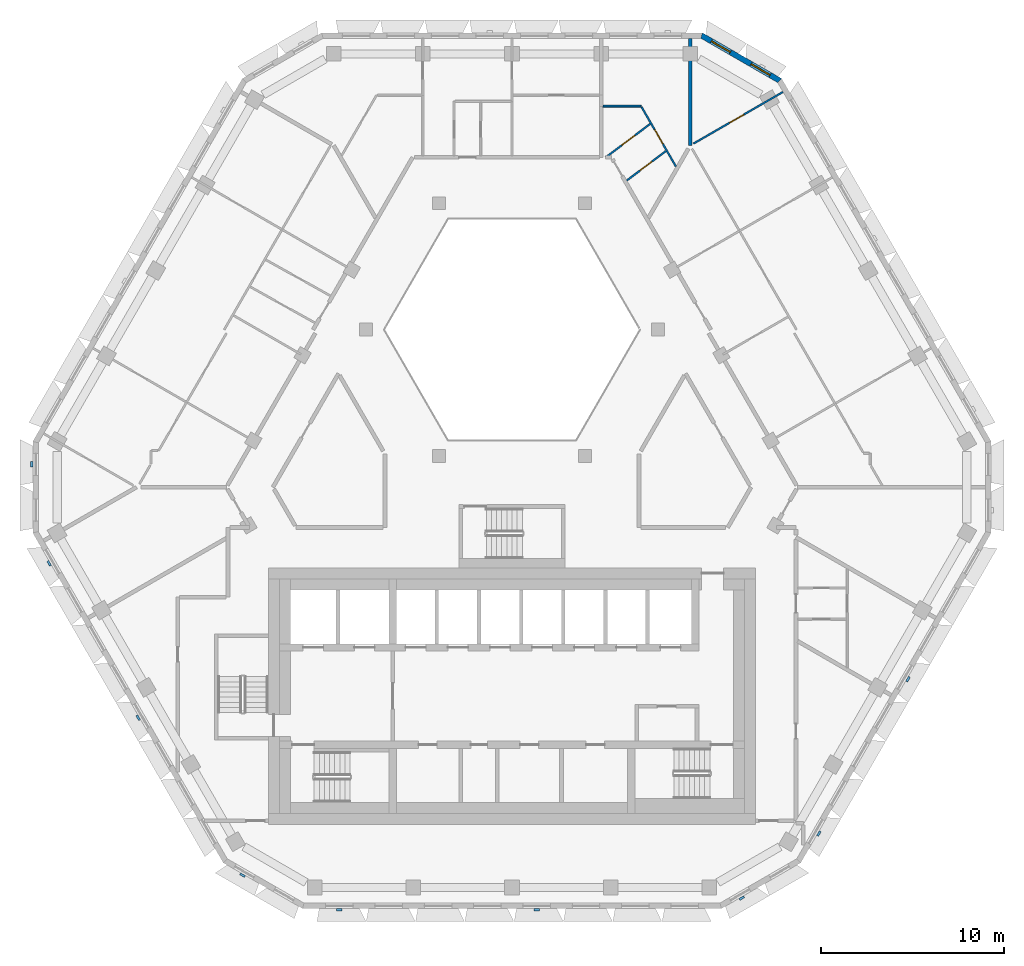
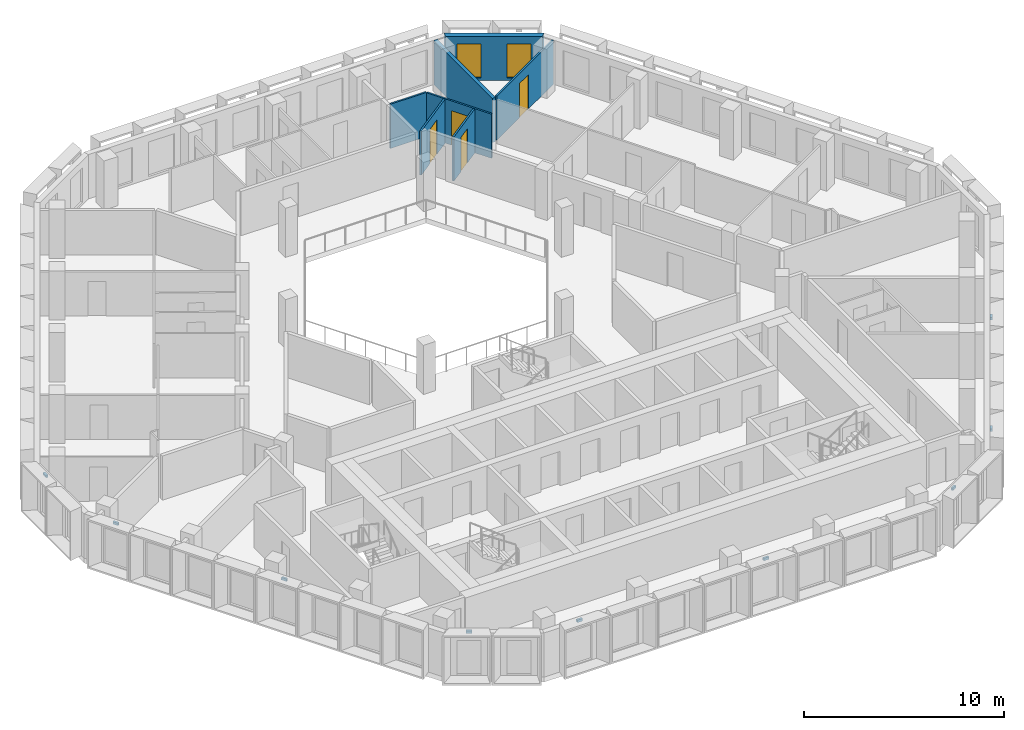
# One storey, part 9 of 17: 9 discrete accessories, 7 walls, 4 doors, 2 windows, 6 openings.
"""IFC4 building model written with IfcOpenShell, lengths in metres."""

from ifc_helpers import new_model, si_unit, direction, frame, frame_2d, origin, place, context, subcontext, project, spatial, polyline, rectangle, outline, extrude, source, transform, mapped, material, layer, layer_set, type_object, type_shapes, element, fill, save


model = new_model("IFC4")

# Units and contexts
model_context = context("Model", 3, precision=1e-05, world=origin(), true_north=direction((0.0, 1.0)))
body_context = subcontext(model_context, "Body", "Model", "MODEL_VIEW")
ifc_project = project(units=[si_unit("LENGTHUNIT", "METRE"), si_unit("AREAUNIT", "SQUARE_METRE"), si_unit("VOLUMEUNIT", "CUBIC_METRE"), si_unit("PLANEANGLEUNIT", "RADIAN"), si_unit("MASSUNIT", "GRAM", prefix="KILO")], contexts=[model_context])

# Site, building, storey
site_placement = place(None, origin())
site = spatial("IfcSite", under=ifc_project, at=site_placement, CompositionType="ELEMENT")
building_placement = place(site_placement, origin())
building = spatial("IfcBuilding", under=site, at=building_placement, Name="Beryl Residences", CompositionType="ELEMENT")
storey_placement = place(building_placement, frame((0.0, 0.0, 166.199951171875)))
storey = spatial("IfcBuildingStorey", under=building, at=storey_placement, Name="L50", CompositionType="ELEMENT", Elevation=166.199951171875)

# Wall, openings, windows
ifc_material_1 = material(Name="Composite metal panel with mineral wool insulation")
ifc_layer_1 = layer(ifc_material_1, 0.300048828125)
ifc_layer_set_1 = layer_set([ifc_layer_1], Name="ES1 pale metal composite panel wall 300 mm")
wall_type_1 = type_object("IfcWallType", Name="ES1 pale metal composite panel wall 300 mm", PredefinedType="SOLIDWALL", material=ifc_layer_set_1)
wall_1_placement = place(storey_placement, frame((14.64697265625, 21.570068359375, 0.0), z_axis=(0.0, 0.0, 1.0), x_axis=(-0.866022959057, 0.500004234368, 0.0)))
wall_1 = element("IfcWall", 1, at=wall_1_placement, inside=storey, type_object=wall_type_1, Name="ES1 external wall L50 NE-N", PredefinedType="SOLIDWALL", context=body_context, shape_type="SweptSolid", body=[
    extrude(outline(polyline([(0.0, -0.14990234375), (5.0, -0.14990234375), (4.919677734375, 0.14990234375), (0.080322265625, 0.14990234375), (0.0, -0.14990234375)])), origin(), (0.0, 0.0, 1.0), 2.699951171875),
])
opening_1_placement = place(wall_1_placement, frame((0.64990234375, 0.0, 0.14990234375)))
opening_1 = element("IfcOpeningElement", 2, at=opening_1_placement, cuts=wall_1, Name="Opening W2", PredefinedType="OPENING", context=body_context, shape_type="SweptSolid", body=[
    extrude(rectangle(XDim=1.199951171875, YDim=2.10009765625, at=frame_2d((0.60009765625, 1.050048828125))), frame((0.0, 0.159912109375, 0.0), z_axis=(0.0, -1.0, 0.0), x_axis=(1.0, 0.0, 0.0)), (0.0, 0.0, 1.0), 0.320068359375),
])
opening_2_placement = place(wall_1_placement, frame((3.14990234375, 0.0, 0.14990234375)))
opening_2 = element("IfcOpeningElement", 3, at=opening_2_placement, cuts=wall_1, Name="Opening W2", PredefinedType="OPENING", context=body_context, shape_type="SweptSolid", body=[
    extrude(rectangle(XDim=1.199951171875, YDim=2.10009765625, at=frame_2d((0.60009765625, 1.050048828125))), frame((0.0, 0.159912109375, 0.0), z_axis=(0.0, -1.0, 0.0), x_axis=(1.0, 0.0, 0.0)), (0.0, 0.0, 1.0), 0.320068359375),
])
ifc_material_2 = material(Name="Aluminium and clear glass", Category="aluminium")
window_type = type_object("IfcWindowType", Name="W2 chamfer window 1200 x 2100 mm", PartitioningType="SINGLE_PANEL", PredefinedType="WINDOW", material=ifc_material_2)
window_1_placement = place(opening_1_placement, origin())
window_1 = element("IfcWindow", 4, at=window_1_placement, inside=storey, type_object=window_type, Name="W2 window L50 NE-N 1", OverallHeight=2.10009765625, OverallWidth=1.199951171875, PartitioningType="SINGLE_PANEL", PredefinedType="WINDOW", context=body_context, shape_type="SweptSolid", body=[
    extrude(rectangle(XDim=1.199951171875, YDim=2.10009765625, at=frame_2d((0.60009765625, 1.050048828125))), frame((0.0, 0.030029296875, 0.0), z_axis=(0.0, -1.0, 0.0), x_axis=(1.0, 0.0, 0.0)), (0.0, 0.0, 1.0), 0.06005859375),
])
fill(opening_1, window_1)
window_2_placement = place(opening_2_placement, origin())
window_2 = element("IfcWindow", 5, at=window_2_placement, inside=storey, type_object=window_type, Name="W2 window L50 NE-N 2", OverallHeight=2.10009765625, OverallWidth=1.199951171875, PartitioningType="SINGLE_PANEL", PredefinedType="WINDOW", context=body_context, shape_type="SweptSolid", body=[
    extrude(rectangle(XDim=1.199951171875, YDim=2.10009765625, at=frame_2d((0.60009765625, 1.050048828125))), frame((0.0, 0.030029296875, 0.0), z_axis=(0.0, -1.0, 0.0), x_axis=(1.0, 0.0, 0.0)), (0.0, 0.0, 1.0), 0.06005859375),
])
fill(opening_2, window_2)

# Wall, opening, door
ifc_material_3 = material(Name="Gypsum board partition on steel studs", Category="steel")
ifc_layer_2 = layer(ifc_material_3, 0.10009765625)
ifc_layer_set_2 = layer_set([ifc_layer_2], Name="PT1 partition 100 mm gypsum board on steel studs")
wall_type_2 = type_object("IfcWallType", Name="PT1 partition 100 mm gypsum board on steel studs", PredefinedType="PARTITIONING", material=ifc_layer_set_2)
wall_2_placement = place(storey_placement, frame((7.072998046875, 20.14990234375, 0.0), z_axis=(0.0, 0.0, 1.0), x_axis=(0.499917691695, -0.866072919292, 0.0)))
wall_2 = element("IfcWall", 6, at=wall_2_placement, inside=storey, type_object=wall_type_2, Name="Wall PT1 L50 001", PredefinedType="PARTITIONING", context=body_context, shape_type="SweptSolid", body=[
    extrude(rectangle(XDim=3.752685546875, YDim=0.10009765625, at=frame_2d((1.87646484375, 0.0))), origin(), (0.0, 0.0, 1.0), 2.699951171875),
])
opening_3_placement = place(wall_2_placement, frame((1.431884765625, 0.0, 0.0)))
opening_3 = element("IfcOpeningElement", 7, at=opening_3_placement, cuts=wall_2, Name="Opening D1437", PredefinedType="OPENING", context=body_context, shape_type="SweptSolid", body=[
    extrude(rectangle(XDim=0.89990234375, YDim=2.10009765625, at=frame_2d((0.449951171875, 1.050048828125))), frame((0.0, 0.06005859375, 0.0), z_axis=(0.0, -1.0, 0.0), x_axis=(1.0, 0.0, 0.0)), (0.0, 0.0, 1.0), 0.1201171875),
])
ifc_material_4 = material(Name="Timber door leaf", Category="wood")
door_type_1 = type_object("IfcDoorType", Name="D2 room door 900 x 2100 mm", OperationType="SINGLE_SWING_LEFT", PredefinedType="DOOR", material=ifc_material_4)
door_1_placement = place(opening_3_placement, origin())
door_1 = element("IfcDoor", 8, at=door_1_placement, inside=storey, type_object=door_type_1, Name="Door D1437 L50 001", OperationType="SINGLE_SWING_LEFT", OverallHeight=2.10009765625, OverallWidth=0.89990234375, PredefinedType="DOOR", context=body_context, shape_type="SweptSolid", body=[
    extrude(rectangle(XDim=0.89990234375, YDim=2.10009765625, at=frame_2d((0.449951171875, 1.050048828125))), frame((0.0, 0.02490234375, 0.0), z_axis=(0.0, -1.0, 0.0), x_axis=(1.0, 0.0, 0.0)), (0.0, 0.0, 1.0), 0.050048828125),
])
fill(opening_3, door_1)

# Wall
wall_3_placement = place(storey_placement, frame((4.964111328125, 20.199951171875, 0.0), z_axis=(0.0, 0.0, 1.0), x_axis=(1.0, 0.0, 0.0)))
element("IfcWall", 9, at=wall_3_placement, inside=storey, type_object=wall_type_2, Name="Wall PT1 L50 017", PredefinedType="PARTITIONING", context=body_context, shape_type="SweptSolid", body=[
    extrude(rectangle(XDim=2.079833984375, YDim=0.10009765625, at=frame_2d((1.0400390625, 0.0))), origin(), (0.0, 0.0, 1.0), 2.699951171875),
])

# Wall, opening, door
wall_4_placement = place(storey_placement, frame((9.902099609375, 18.15087890625, 0.0), z_axis=(0.0, 0.0, 1.0), x_axis=(0.866032278734, 0.499988092049, 0.0)))
wall_4 = element("IfcWall", 10, at=wall_4_placement, inside=storey, type_object=wall_type_2, Name="Wall PT1 L50 035", PredefinedType="PARTITIONING", context=body_context, shape_type="SweptSolid", body=[
    extrude(rectangle(XDim=5.648681640625, YDim=0.10009765625, at=frame_2d((2.82421875, 0.0))), origin(), (0.0, 0.0, 1.0), 2.699951171875),
])
opening_4_placement = place(wall_4_placement, frame((2.27392578125, 0.0, 0.0)))
opening_4 = element("IfcOpeningElement", 11, at=opening_4_placement, cuts=wall_4, Name="Opening D1432", PredefinedType="OPENING", context=body_context, shape_type="SweptSolid", body=[
    extrude(rectangle(XDim=0.89990234375, YDim=2.10009765625, at=frame_2d((0.449951171875, 1.050048828125))), frame((0.0, 0.06005859375, 0.0), z_axis=(0.0, -1.0, 0.0), x_axis=(1.0, 0.0, 0.0)), (0.0, 0.0, 1.0), 0.1201171875),
])
door_2_placement = place(opening_4_placement, origin())
door_2 = element("IfcDoor", 12, at=door_2_placement, inside=storey, type_object=door_type_1, Name="Door D1432 L50 001", OperationType="SINGLE_SWING_RIGHT", OverallHeight=2.10009765625, OverallWidth=0.89990234375, PredefinedType="DOOR", context=body_context, shape_type="SweptSolid", body=[
    extrude(rectangle(XDim=0.89990234375, YDim=2.10009765625, at=frame_2d((0.449951171875, 1.050048828125))), frame((0.0, 0.02490234375, 0.0), z_axis=(0.0, -1.0, 0.0), x_axis=(1.0, 0.0, 0.0)), (0.0, 0.0, 1.0), 0.050048828125),
])
fill(opening_4, door_2)

wall_5_placement = place(storey_placement, frame((6.26904296875, 16.14208984375, 0.0), z_axis=(0.0, 0.0, 1.0), x_axis=(0.798549086509, 0.601929693931, 0.0)))
wall_5 = element("IfcWall", 13, at=wall_5_placement, inside=storey, type_object=wall_type_2, Name="Wall PT1 L50 036", PredefinedType="PARTITIONING", context=body_context, shape_type="SweptSolid", body=[
    extrude(rectangle(XDim=2.669677734375, YDim=0.10009765625, at=frame_2d((1.3349609375, 0.0))), origin(), (0.0, 0.0, 1.0), 2.699951171875),
])
opening_5_placement = place(wall_5_placement, frame((0.909912109375, 0.0, 0.0)))
opening_5 = element("IfcOpeningElement", 14, at=opening_5_placement, cuts=wall_5, Name="Opening D1436", PredefinedType="OPENING", context=body_context, shape_type="SweptSolid", body=[
    extrude(rectangle(XDim=0.800048828125, YDim=2.10009765625, at=frame_2d((0.39990234375, 1.050048828125))), frame((0.0, 0.06005859375, 0.0), z_axis=(0.0, -1.0, 0.0), x_axis=(1.0, 0.0, 0.0)), (0.0, 0.0, 1.0), 0.1201171875),
])
ifc_material_5 = material(Name="Timber door leaf", Category="wood")
door_type_2 = type_object("IfcDoorType", Name="D3 bathroom door 800 x 2100 mm", OperationType="SINGLE_SWING_LEFT", PredefinedType="DOOR", material=ifc_material_5)
door_3_placement = place(opening_5_placement, origin())
door_3 = element("IfcDoor", 15, at=door_3_placement, inside=storey, type_object=door_type_2, Name="Door D1436 L50 001", OperationType="SINGLE_SWING_RIGHT", OverallHeight=2.10009765625, OverallWidth=0.800048828125, PredefinedType="DOOR", context=body_context, shape_type="SweptSolid", body=[
    extrude(rectangle(XDim=0.800048828125, YDim=2.10009765625, at=frame_2d((0.39990234375, 1.050048828125))), frame((0.0, 0.02490234375, 0.0), z_axis=(0.0, -1.0, 0.0), x_axis=(1.0, 0.0, 0.0)), (0.0, 0.0, 1.0), 0.050048828125),
])
fill(opening_5, door_3)

wall_6_placement = place(storey_placement, frame((5.113037109375, 17.39990234375, 0.0), z_axis=(0.0, 0.0, 1.0), x_axis=(0.798718434647, 0.601704962714, 0.0)))
wall_6 = element("IfcWall", 16, at=wall_6_placement, inside=storey, type_object=wall_type_2, Name="Wall PT1 L50 037", PredefinedType="PARTITIONING", context=body_context, shape_type="SweptSolid", body=[
    extrude(rectangle(XDim=3.044677734375, YDim=0.10009765625, at=frame_2d((1.5224609375, 0.0))), origin(), (0.0, 0.0, 1.0), 2.699951171875),
])
opening_6_placement = place(wall_6_placement, frame((1.097900390625, 0.0, 0.0)))
opening_6 = element("IfcOpeningElement", 17, at=opening_6_placement, cuts=wall_6, Name="Opening D1435", PredefinedType="OPENING", context=body_context, shape_type="SweptSolid", body=[
    extrude(rectangle(XDim=0.89990234375, YDim=2.10009765625, at=frame_2d((0.449951171875, 1.050048828125))), frame((0.0, 0.06005859375, 0.0), z_axis=(0.0, -1.0, 0.0), x_axis=(1.0, 0.0, 0.0)), (0.0, 0.0, 1.0), 0.1201171875),
])
door_4_placement = place(opening_6_placement, origin())
door_4 = element("IfcDoor", 18, at=door_4_placement, inside=storey, type_object=door_type_1, Name="Door D1435 L50 001", OperationType="SINGLE_SWING_LEFT", OverallHeight=2.10009765625, OverallWidth=0.89990234375, PredefinedType="DOOR", context=body_context, shape_type="SweptSolid", body=[
    extrude(rectangle(XDim=0.89990234375, YDim=2.10009765625, at=frame_2d((0.449951171875, 1.050048828125))), frame((0.0, 0.02490234375, 0.0), z_axis=(0.0, -1.0, 0.0), x_axis=(1.0, 0.0, 0.0)), (0.0, 0.0, 1.0), 0.050048828125),
])
fill(opening_6, door_4)

# Wall
ifc_material_6 = material(Name="Acoustic double stud gypsum board wall")
ifc_layer_3 = layer(ifc_material_6, 0.199951171875)
ifc_layer_set_3 = layer_set([ifc_layer_3], Name="PT3 party wall 200 mm acoustic double stud")
wall_type_3 = type_object("IfcWallType", Name="PT3 party wall 200 mm acoustic double stud", PredefinedType="PARTITIONING", material=ifc_layer_set_3)
wall_7_placement = place(storey_placement, frame((9.72802734375, 18.049072265625, 0.0), z_axis=(0.0, 0.0, 1.0), x_axis=(0.0, 1.0, 0.0)))
element("IfcWall", 19, at=wall_7_placement, inside=storey, type_object=wall_type_3, Name="Wall PT3 L50 012", PredefinedType="PARTITIONING", context=body_context, shape_type="SweptSolid", body=[
    extrude(rectangle(XDim=5.850830078125, YDim=0.199951171875, at=frame_2d((2.92529296875, 0.0))), origin(), (0.0, 0.0, 1.0), 2.699951171875),
])

# Discrete accessories
ifc_material_7 = material(Name="Steel S355", Category="steel")
discrete_accessory_type = type_object("IfcDiscreteAccessoryType", Name="BR1 frame bracket 300 x 120 x 150 mm", PredefinedType="BRACKET", material=ifc_material_7)
shared_shape = source(origin(), body_context, "Body", "SweptSolid", [
    extrude(outline(polyline([(-0.14990234375, 0.0), (0.14990234375, 0.0), (0.14990234375, 0.1201171875), (-0.14990234375, 0.1201171875), (-0.14990234375, 0.0)])), origin(), (0.0, 0.0, 1.0), 0.14990234375),
])
type_shapes(discrete_accessory_type, [shared_shape])
for number, where, z_axis, x_axis, name in (
    (20, (-26.154052734375, 0.64990234375, 2.75), (0.0, 0.0, 1.0), (0.0, 1.0, 0.0), "BR1 bracket L50 NW-SW 1"),
    (21, (-25.212890625, -4.72802734375, 2.75), (0.0, 0.0, 1.0), (-0.5, 0.866025403784, 0.0), "BR1 bracket L50 SW 1"),
    (22, (-20.35009765625, -13.152099609375, 2.75), (0.0, 0.0, 1.0), (-0.5, 0.866025403784, 0.0), "BR1 bracket L50 SW 5"),
    (23, (-14.677978515625, -21.72509765625, 2.75), (0.0, 0.0, 1.0), (-0.866025403784, 0.5, 0.0), "BR1 bracket L50 SW-S 1"),
    (24, (-9.4208984375, -23.60009765625, 2.75), (0.0, 0.0, 1.0), (-1.0, 0.0, 0.0), "BR1 bracket L50 S 1"),
    (25, (1.346923828125, -23.60009765625, 2.75), (0.0, 0.0, 1.0), (-1.0, 0.0, 0.0), "BR1 bracket L50 S 5"),
    (26, (12.513916015625, -22.97509765625, 2.75), (0.0, 0.0, 1.0), (-0.866025403784, -0.5, 0.0), "BR1 bracket L50 S-SE 1"),
    (27, (16.700927734375, -19.471923828125, 2.75), (0.0, 0.0, 1.0), (-0.5, -0.866025403784, 0.0), "BR1 bracket L50 SE 1"),
    (28, (21.56396484375, -11.048095703125, 2.75), (0.0, 0.0, 1.0), (-0.5, -0.866025403784, 0.0), "BR1 bracket L50 SE 5"),
):
    element("IfcDiscreteAccessory", number, at=place(storey_placement, frame(where, z_axis=z_axis, x_axis=x_axis)), inside=storey, type_object=discrete_accessory_type, Name=name, PredefinedType="BRACKET", context=body_context, shape_type="MappedRepresentation", body=[
        mapped(shared_shape, transform((0.0, 0.0, 0.0))),
    ])

save(model, "model.ifc")
